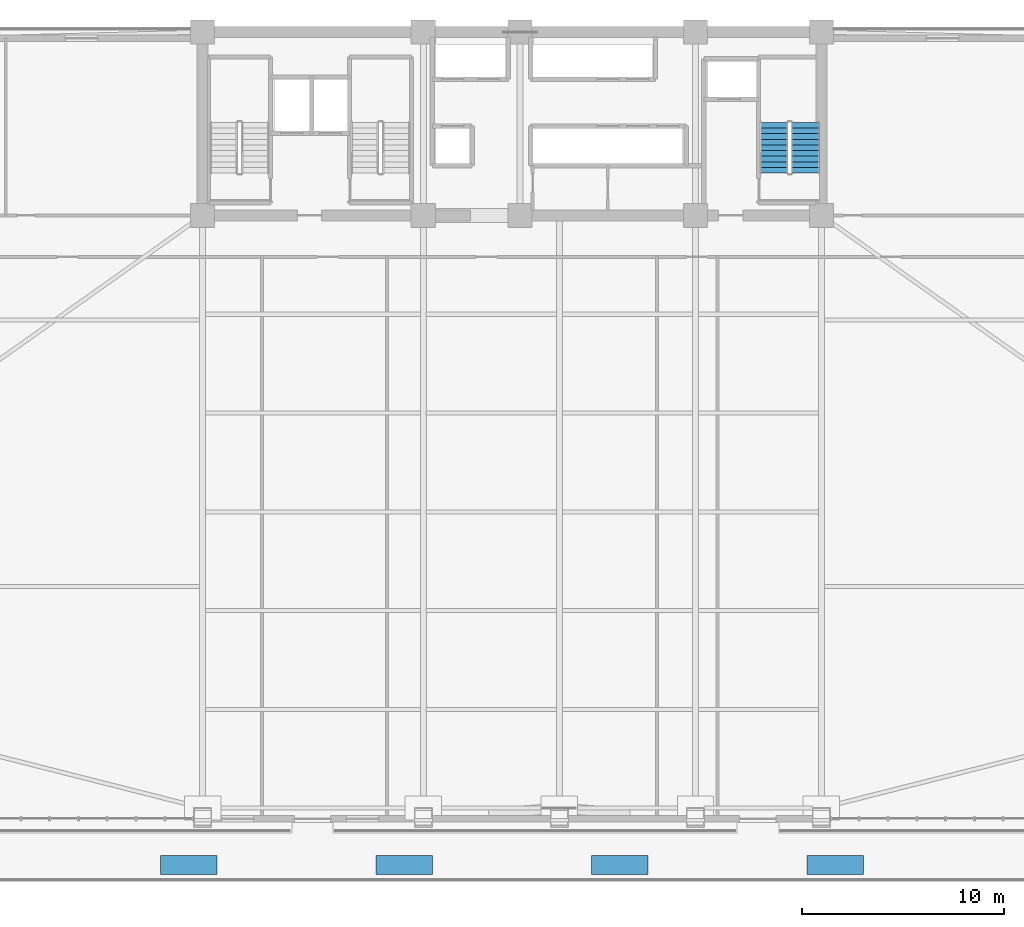
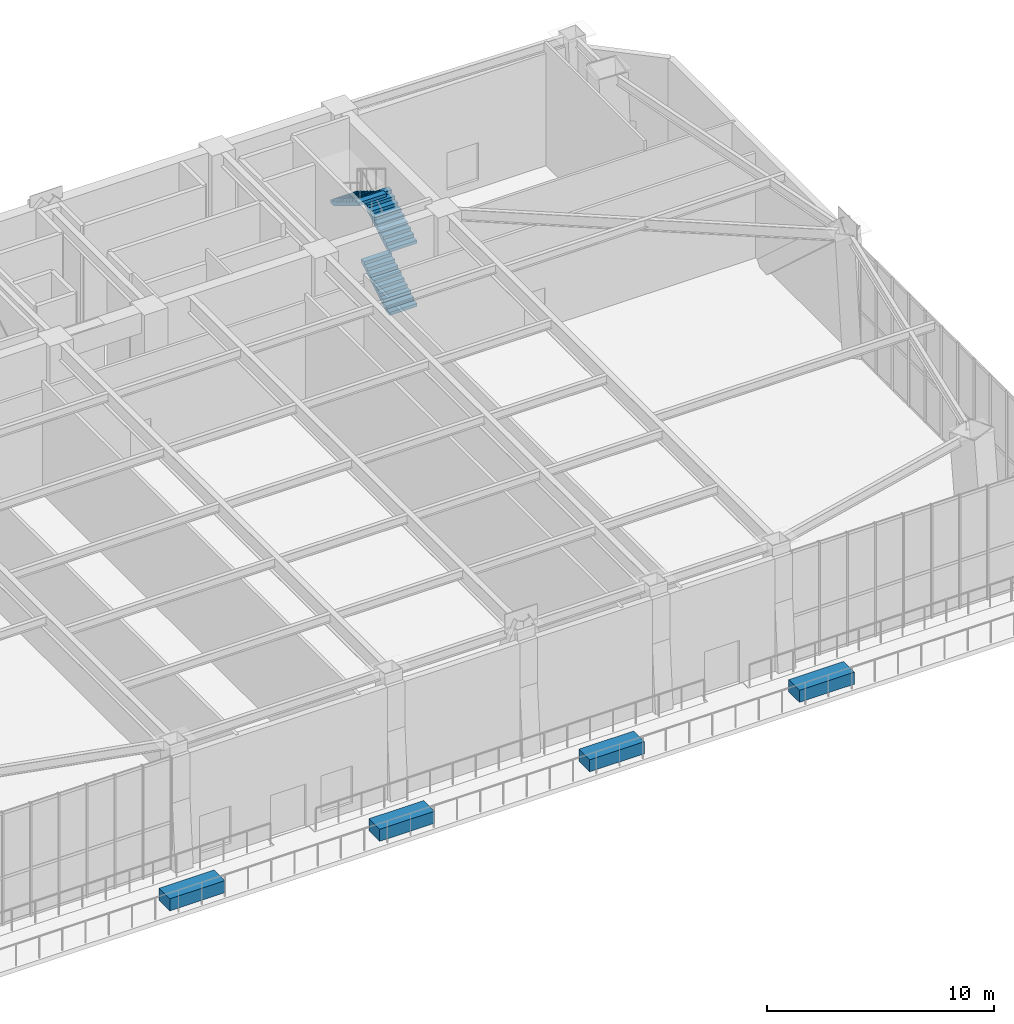
# One storey, part 17 of 22: 4 discrete accessories, 3 stair flights, 1 element without a shape of its own.
"""IFC4 building model written with IfcOpenShell, lengths in metres."""

import ifcopenshell
import ifcopenshell.guid

model = None  # the IFC model being written
_history = None  # IfcOwnerHistory: only IFC2X3 demands one
_inside = {}  # id of a spatial element -> (the spatial element, [elements in it])
_under = {}  # id of a project, library or spatial element -> (it, [spatial elements below it])
_declared = {}  # id of a project -> (the project, [libraries it declares])
_typed = {}  # id of a type object -> (the type object, [elements of that type])
_made_of = {}  # id of a material, layer set ... -> (it, [elements and type objects made of it])


def new_model(schema):
    """Start an empty IFC model of exactly this schema.

    Asked for "IFC4X3", IfcOpenShell would pick the latest addendum, in which some entities
    have other attributes; the version numbers below select the first issue.
    IFC2X3 requires an IfcOwnerHistory on every rooted entity: one is made here for all.
    """
    global model, _history
    if schema == "IFC4X3":
        model = ifcopenshell.file(schema_version=(4, 3, 0, 0))
    else:
        model = ifcopenshell.file(schema=schema)
    _inside.clear()
    _under.clear()
    _declared.clear()
    _typed.clear()
    _made_of.clear()
    _history = None
    if model.schema == "IFC2X3":
        org = make("IfcOrganization", Name="unknown")
        user = make(
            "IfcPersonAndOrganization",
            ThePerson=make("IfcPerson", FamilyName="unknown"),
            TheOrganization=org,
        )
        app = make(
            "IfcApplication",
            ApplicationDeveloper=org,
            Version="unknown",
            ApplicationFullName="unknown",
            ApplicationIdentifier="unknown",
        )
        _history = make(
            "IfcOwnerHistory",
            OwningUser=user,
            OwningApplication=app,
            ChangeAction="ADDED",
            CreationDate=0,
        )
    return model


def make(cls, **values):
    """One entity of the class cls with the attributes given. An attribute that is None is left unset."""
    return model.create_entity(
        cls, **{name: value for name, value in values.items() if value is not None}
    )


def rooted(cls, **values):
    """An entity with a GlobalId (a new one), such as an element, a storey or a relation."""
    return make(cls, GlobalId=ifcopenshell.guid.new(), OwnerHistory=_history, **values)


def si_unit(unit_type, name, prefix=None):
    """IfcSIUnit, for example si_unit("LENGTHUNIT", "METRE", prefix="MILLI")."""
    return make("IfcSIUnit", UnitType=unit_type, Prefix=prefix, Name=name)


def assignment(units):
    """IfcUnitAssignment: the units of a project."""
    return None if units is None else make("IfcUnitAssignment", Units=units)


def point(xyz):
    """IfcCartesianPoint."""
    return None if xyz is None else make("IfcCartesianPoint", Coordinates=xyz)


def direction(xyz):
    """IfcDirection."""
    return None if xyz is None else make("IfcDirection", DirectionRatios=xyz)


def frame(location, z_axis=None, x_axis=None):
    """IfcAxis2Placement3D, a coordinate frame: its origin and axes. An axis left out is left unset."""
    return make(
        "IfcAxis2Placement3D",
        Location=point(location),
        Axis=direction(z_axis),
        RefDirection=direction(x_axis),
    )


def frame_2d(location, x_axis=None):
    """IfcAxis2Placement2D, a coordinate frame in the plane: its origin and x axis."""
    return make(
        "IfcAxis2Placement2D", Location=point(location), RefDirection=direction(x_axis)
    )


def origin():
    """The frame at (0, 0, 0) with its axes left unset."""
    return frame((0.0, 0.0, 0.0))


def origin_2d():
    """The frame at (0, 0) in the plane with its x axis left unset."""
    return frame_2d((0.0, 0.0))


def place(relative_to, where):
    """IfcLocalPlacement: puts the frame where relative to a parent placement (None: the world)."""
    return make(
        "IfcLocalPlacement", PlacementRelTo=relative_to, RelativePlacement=where
    )


def context(
    kind, dimensions, precision=None, world=None, true_north=None, identifier=None
):
    """IfcGeometricRepresentationContext, for example the 3D "Model" context."""
    return make(
        "IfcGeometricRepresentationContext",
        ContextIdentifier=identifier,
        ContextType=kind,
        CoordinateSpaceDimension=dimensions,
        Precision=precision,
        WorldCoordinateSystem=world,
        TrueNorth=true_north,
    )


def subcontext(parent, identifier, kind, view, scale=None):
    """IfcGeometricRepresentationSubContext, for example "Body" below "Model"."""
    return make(
        "IfcGeometricRepresentationSubContext",
        ContextIdentifier=identifier,
        ContextType=kind,
        ParentContext=parent,
        TargetScale=scale,
        TargetView=view,
    )


def project(units=None, contexts=None):
    """IfcProject with its units and contexts."""
    return rooted(
        "IfcProject",
        Name="project",
        RepresentationContexts=contexts,
        UnitsInContext=assignment(units),
    )


def spatial(cls, under=None, at=None, **own):
    """A site, building, storey or space (cls), placed at a placement, below another one or the project."""
    s = rooted(cls, ObjectPlacement=at, **own)
    if under is not None:
        _under.setdefault(under.id(), (under, []))[1].append(s)
    return s


def polyline(points):
    """IfcPolyline through the points."""
    return make("IfcPolyline", Points=[point(p) for p in points])


def profile(cls, at=None, kind="AREA", **sizes):
    """A parametric profile (cls). Its sizes go by their IFC names, for example OverallWidth=200.0."""
    return make(cls, ProfileType=kind, Position=at, **sizes)


def rectangle(**sizes):
    """IfcRectangleProfileDef."""
    return profile("IfcRectangleProfileDef", **sizes)


def outline(outer, holes=None, kind="AREA"):
    """IfcArbitraryClosedProfileDef: a profile drawn as a closed curve; with holes, ...WithVoids."""
    if holes is None:
        return make("IfcArbitraryClosedProfileDef", ProfileType=kind, OuterCurve=outer)
    return make(
        "IfcArbitraryProfileDefWithVoids",
        ProfileType=kind,
        OuterCurve=outer,
        InnerCurves=holes,
    )


def extrude(swept, where, along, depth):
    """IfcExtrudedAreaSolid: the profile swept, set in the frame where, extruded along a direction by depth."""
    return make(
        "IfcExtrudedAreaSolid",
        SweptArea=swept,
        Position=where,
        ExtrudedDirection=direction(along),
        Depth=depth,
    )


def shape(context_of_items, identifier, shape_type, items):
    """IfcShapeRepresentation: the items that make up one representation, for example the "Body"."""
    return make(
        "IfcShapeRepresentation",
        ContextOfItems=context_of_items,
        RepresentationIdentifier=identifier,
        RepresentationType=shape_type,
        Items=items,
    )


def source(mapping_origin, context_of_items, identifier, shape_type, items):
    """IfcRepresentationMap: a shape defined once, which mapped items show again and again."""
    return make(
        "IfcRepresentationMap",
        MappingOrigin=mapping_origin,
        MappedRepresentation=shape(context_of_items, identifier, shape_type, items),
    )


def transform(
    local_origin,
    x_axis=None,
    y_axis=None,
    z_axis=None,
    scale=None,
    scale2=None,
    scale3=None,
    uniform=True,
):
    """IfcCartesianTransformationOperator3D, or its non-uniform kind. x_axis, y_axis, z_axis: its Axis1, 2, 3."""
    if uniform:
        return make(
            "IfcCartesianTransformationOperator3D",
            Axis1=direction(x_axis),
            Axis2=direction(y_axis),
            LocalOrigin=point(local_origin),
            Scale=scale,
            Axis3=direction(z_axis),
        )
    return make(
        "IfcCartesianTransformationOperator3DnonUniform",
        Axis1=direction(x_axis),
        Axis2=direction(y_axis),
        LocalOrigin=point(local_origin),
        Scale=scale,
        Axis3=direction(z_axis),
        Scale2=scale2,
        Scale3=scale3,
    )


def mapped(mapping_source, mapping_target):
    """IfcMappedItem: shows the shape of a source again, moved by a transform."""
    return make(
        "IfcMappedItem", MappingSource=mapping_source, MappingTarget=mapping_target
    )


def material(Name=None, Category=None):
    """IfcMaterial."""
    return make("IfcMaterial", Name=Name, Category=Category)


def made_of(thing, what):
    """Note that an element or type object is made of a material, layer set ...; save() writes the relation."""
    if what is not None:
        _made_of.setdefault(what.id(), (what, []))[1].append(thing)
    return thing


def type_object(cls, material=None, **own):
    """A type object (cls), such as IfcWallType, which elements share."""
    return made_of(rooted(cls, **own), material)


def element(
    cls,
    number,
    at=None,
    inside=None,
    cuts=None,
    type_object=None,
    material=None,
    context=None,
    identifier="Body",
    shape_type=None,
    held_by="IfcProductDefinitionShape",
    body=None,
    shapes=None,
    **own,
):
    """One element of the class cls, such as IfcWall. Its Tag is "e" and its number.

    at: its placement. inside: the storey or other place that contains it. cuts: it is an
    opening in that element (IfcRelVoidsElement). A single representation is given by context,
    identifier, shape_type and body (its items); several are given by shapes. held_by: the class
    of the entity that holds the representations. save() writes the other relations.
    """
    e = rooted(cls, Tag="e%d" % number, ObjectPlacement=at, **own)
    if body is not None:
        shapes = [shape(context, identifier, shape_type, body)]
    if shapes is not None:
        e.Representation = make(held_by, Representations=shapes)
    if inside is not None:
        _inside.setdefault(inside.id(), (inside, []))[1].append(e)
    if cuts is not None:
        rooted(
            "IfcRelVoidsElement", RelatingBuildingElement=cuts, RelatedOpeningElement=e
        )
    if type_object is not None:
        _typed.setdefault(type_object.id(), (type_object, []))[1].append(e)
    return made_of(e, material)


def aggregate(whole, parts):
    """IfcRelAggregates: a whole, such as a stair, and the parts it consists of."""
    return rooted("IfcRelAggregates", RelatingObject=whole, RelatedObjects=parts)


def save(model, path):
    """Write the relations noted so far, then the file.

    IfcRelAggregates (storeys below a building ...), IfcRelContainedInSpatialStructure (elements
    in a storey), IfcRelDefinesByType, IfcRelAssociatesMaterial and IfcRelDeclares: one each for
    every whole, place, type object, material and project.
    """
    for whole, parts in _under.values():
        aggregate(whole, parts)
    for where, things in _inside.values():
        rooted(
            "IfcRelContainedInSpatialStructure",
            RelatedElements=things,
            RelatingStructure=where,
        )
    for kind, things in _typed.values():
        rooted("IfcRelDefinesByType", RelatedObjects=things, RelatingType=kind)
    for what, things in _made_of.values():
        rooted("IfcRelAssociatesMaterial", RelatedObjects=things, RelatingMaterial=what)
    for by, libraries in _declared.values():
        rooted("IfcRelDeclares", RelatingContext=by, RelatedDefinitions=libraries)
    model.write(path)


model = new_model("IFC4")

# Units and contexts
model_context = context("Model", 3, precision=1e-05, world=origin(), true_north=direction((0.0, 1.0)))
body_context = subcontext(model_context, "Body", "Model", "MODEL_VIEW")
ifc_project = project(units=[si_unit("LENGTHUNIT", "METRE"), si_unit("AREAUNIT", "SQUARE_METRE"), si_unit("VOLUMEUNIT", "CUBIC_METRE"), si_unit("PLANEANGLEUNIT", "RADIAN"), si_unit("MASSUNIT", "GRAM", prefix="KILO")], contexts=[model_context])

# Site, building, storey
site_placement = place(None, origin())
site = spatial("IfcSite", under=ifc_project, at=site_placement, CompositionType="ELEMENT")
building_placement = place(site_placement, origin())
building = spatial("IfcBuilding", under=site, at=building_placement, Name="Giltprow Tower", CompositionType="ELEMENT")
storey_placement = place(building_placement, frame((0.0, 0.0, 130.89990234375)))
storey = spatial("IfcBuildingStorey", under=building, at=storey_placement, Name="L32", CompositionType="ELEMENT", Elevation=130.89990234375)

# Stair, stair flights
ifc_material_1 = material(Name="Concrete C40", Category="concrete")
stair_type = type_object("IfcStairType", Name="STR-ST-3", PredefinedType="HALF_TURN_STAIR", material=ifc_material_1)
stair_placement = place(storey_placement, origin())
stair = element("IfcStair", 1, at=stair_placement, inside=storey, type_object=stair_type, Name="L32 Core Exit Stair ST-3", PredefinedType="HALF_TURN_STAIR")
stair_flight_type = type_object("IfcStairFlightType", Name="SFL-ST-3", PredefinedType="STRAIGHT", material=ifc_material_1)
stair_flight_1_placement = place(storey_placement, frame((49.760009765625, 39.550048828125, 0.0), z_axis=(0.0, 0.0, 1.0), x_axis=(0.0, 1.0, 0.0)))
stair_flight_1 = element("IfcStairFlight", 2, at=stair_flight_1_placement, type_object=stair_flight_type, Name="ST-3 flight 1", NumberOfRisers=10, NumberOfTreads=9, PredefinedType="STRAIGHT", RiserHeight=0.17, TreadLength=0.28, context=body_context, shape_type="SweptSolid", body=[
    extrude(outline(polyline([(0.0, 0.0), (0.0, 0.169921875), (0.280029296875, 0.169921875), (0.280029296875, 0.340087890625), (0.56005859375, 0.340087890625), (0.56005859375, 0.510009765625), (0.840087890625, 0.510009765625), (0.840087890625, 0.679931640625), (1.1201171875, 0.679931640625), (1.1201171875, 0.85009765625), (1.39990234375, 0.85009765625), (1.39990234375, 1.02001953125), (1.679931640625, 1.02001953125), (1.679931640625, 1.18994140625), (1.9599609375, 1.18994140625), (1.9599609375, 1.360107421875), (2.239990234375, 1.360107421875), (2.239990234375, 1.530029296875), (2.52001953125, 1.530029296875), (2.52001953125, 1.699951171875), (2.52001953125, 1.354736328125), (0.288818359375, 0.0), (0.0, 0.0)])), frame((0.0, 0.699951171875, 0.0), z_axis=(0.0, -1.0, 0.0), x_axis=(1.0, 0.0, 0.0)), (0.0, 0.0, 1.0), 1.39990234375),
])
stair_flight_2_placement = place(storey_placement, frame((49.760009765625, 39.550048828125, 3.400146484375), z_axis=(0.0, 0.0, 1.0), x_axis=(0.0, 1.0, 0.0)))
stair_flight_2 = element("IfcStairFlight", 3, at=stair_flight_2_placement, type_object=stair_flight_type, Name="ST-3 flight 3", NumberOfRisers=10, NumberOfTreads=9, PredefinedType="STRAIGHT", RiserHeight=0.17, TreadLength=0.28, context=body_context, shape_type="SweptSolid", body=[
    extrude(outline(polyline([(0.0, 0.0), (0.0, 0.169921875), (0.280029296875, 0.169921875), (0.280029296875, 0.340087890625), (0.56005859375, 0.340087890625), (0.56005859375, 0.510009765625), (0.840087890625, 0.510009765625), (0.840087890625, 0.679931640625), (1.1201171875, 0.679931640625), (1.1201171875, 0.85009765625), (1.39990234375, 0.85009765625), (1.39990234375, 1.02001953125), (1.679931640625, 1.02001953125), (1.679931640625, 1.18994140625), (1.9599609375, 1.18994140625), (1.9599609375, 1.360107421875), (2.239990234375, 1.360107421875), (2.239990234375, 1.530029296875), (2.52001953125, 1.530029296875), (2.52001953125, 1.699951171875), (2.52001953125, 1.354736328125), (0.288818359375, 0.0), (0.0, 0.0)])), frame((0.0, 0.699951171875, 0.0), z_axis=(0.0, -1.0, 0.0), x_axis=(1.0, 0.0, 0.0)), (0.0, 0.0, 1.0), 1.39990234375),
])
stair_flight_3_placement = place(storey_placement, frame((48.199951171875, 42.070068359375, 5.10009765625), z_axis=(0.0, 0.0, 1.0), x_axis=(0.0, -1.0, 0.0)))
stair_flight_3 = element("IfcStairFlight", 4, at=stair_flight_3_placement, type_object=stair_flight_type, Name="ST-3 flight 4", NumberOfRisers=10, NumberOfTreads=9, PredefinedType="STRAIGHT", RiserHeight=0.17, TreadLength=0.28, context=body_context, shape_type="SweptSolid", body=[
    extrude(outline(polyline([(0.0, 0.0), (0.0, 0.169921875), (0.280029296875, 0.169921875), (0.280029296875, 0.340087890625), (0.56005859375, 0.340087890625), (0.56005859375, 0.510009765625), (0.840087890625, 0.510009765625), (0.840087890625, 0.679931640625), (1.1201171875, 0.679931640625), (1.1201171875, 0.85009765625), (1.39990234375, 0.85009765625), (1.39990234375, 1.02001953125), (1.679931640625, 1.02001953125), (1.679931640625, 1.18994140625), (1.9599609375, 1.18994140625), (1.9599609375, 1.360107421875), (2.239990234375, 1.360107421875), (2.239990234375, 1.530029296875), (2.52001953125, 1.530029296875), (2.52001953125, 1.699951171875), (2.52001953125, 1.354736328125), (0.288818359375, 0.0), (0.0, 0.0)])), frame((0.0, 0.699951171875, 0.0), z_axis=(0.0, -1.0, 0.0), x_axis=(1.0, 0.0, 0.0)), (0.0, 0.0, 1.0), 1.39990234375),
])
aggregate(stair, [stair_flight_1, stair_flight_2, stair_flight_3])

# Discrete accessories
ifc_material_2 = material(Name="Precast concrete C40", Category="concrete")
discrete_accessory_type = type_object("IfcDiscreteAccessoryType", Name="ACC-PLANTER-BOX", PredefinedType="USERDEFINED", material=ifc_material_2)
shared_shape = source(origin(), body_context, "Body", "SweptSolid", [
    extrude(rectangle(XDim=2.800048828125, YDim=0.949951171875, at=origin_2d()), origin(), (0.0, 0.0, 1.0), 0.64990234375),
])
for number, where, z_axis, x_axis, name in (
    (5, (19.162109375, 5.218017578125, 0.000244140625), (0.0, 0.0, 1.0), (1.0, 0.0, 0.0), "L32 Sky Garden Tree Planter PLN-1"),
    (6, (29.85400390625, 5.218017578125, 0.000244140625), (0.0, 0.0, 1.0), (1.0, 0.0, 0.0), "L32 Sky Garden Tree Planter PLN-2"),
    (7, (40.5458984375, 5.218017578125, 0.000244140625), (0.0, 0.0, 1.0), (1.0, 0.0, 0.0), "L32 Sky Garden Tree Planter PLN-3"),
    (8, (51.238037109375, 5.218017578125, 0.000244140625), (0.0, 0.0, 1.0), (1.0, 0.0, 0.0), "L32 Sky Garden Tree Planter PLN-4"),
):
    element("IfcDiscreteAccessory", number, at=place(storey_placement, frame(where, z_axis=z_axis, x_axis=x_axis)), inside=storey, type_object=discrete_accessory_type, Name=name, ObjectType="PLANTER", PredefinedType="USERDEFINED", context=body_context, shape_type="MappedRepresentation", body=[
        mapped(shared_shape, transform((0.0, 0.0, 0.0), x_axis=(1.0, 0.0, 0.0), y_axis=(0.0, 1.0, 0.0), z_axis=(0.0, 0.0, 1.0), scale=1.0)),
    ])

save(model, "model.ifc")
